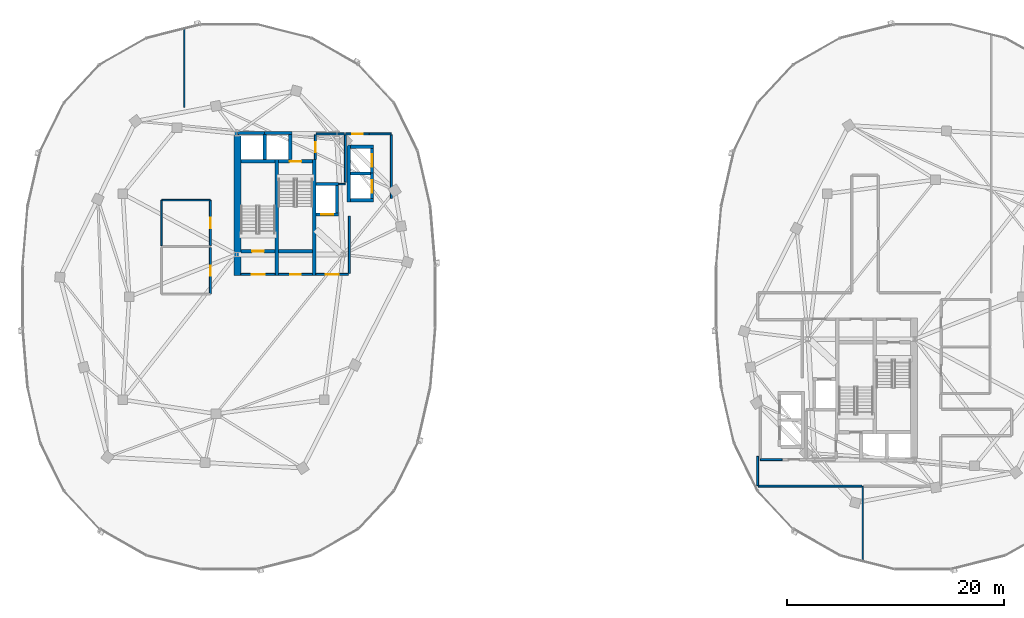
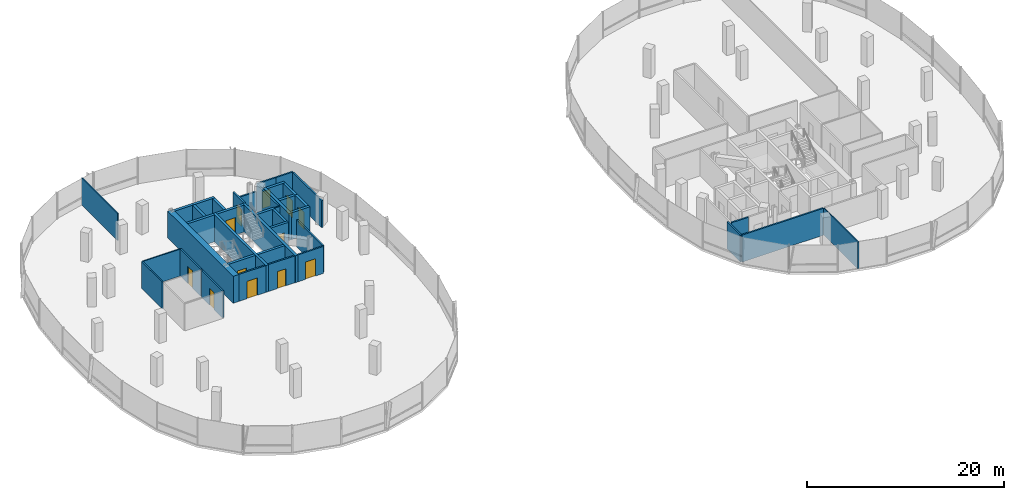
# One storey, part 15 of 24: 40 walls, 12 doors, 12 openings.
"""IFC4 building model written with IfcOpenShell, lengths in metres."""

from ifc_helpers import new_model, si_unit, direction, frame, frame_2d, origin, place, context, subcontext, project, spatial, rectangle, extrude, material, layer, layer_set, type_object, element, fill, save


model = new_model("IFC4")

# Units and contexts
model_context = context("Model", 3, precision=1e-05, world=origin(), true_north=direction((0.0, 1.0)))
body_context = subcontext(model_context, "Body", "Model", "MODEL_VIEW")
ifc_project = project(units=[si_unit("LENGTHUNIT", "METRE"), si_unit("AREAUNIT", "SQUARE_METRE"), si_unit("VOLUMEUNIT", "CUBIC_METRE"), si_unit("PLANEANGLEUNIT", "RADIAN"), si_unit("MASSUNIT", "GRAM", prefix="KILO"), si_unit("THERMODYNAMICTEMPERATUREUNIT", "KELVIN"), si_unit("POWERUNIT", "WATT")], contexts=[model_context])

# Site, building, storey
site_placement = place(None, origin())
site = spatial("IfcSite", under=ifc_project, at=site_placement, CompositionType="ELEMENT")
building_placement = place(site_placement, origin())
building = spatial("IfcBuilding", under=site, at=building_placement, Name="Cundina Bronze Exchange", CompositionType="ELEMENT")
storey_placement = place(building_placement, frame((0.0, 0.0, 227.800048828125)))
storey = spatial("IfcBuildingStorey", under=building, at=storey_placement, Name="L60", CompositionType="ELEMENT", Elevation=227.800048828125)

# Wall
ifc_material_1 = material(Name="Gypsum Fireboard Partition EI120")
ifc_layer_1 = layer(ifc_material_1, 0.179931640625, Name="Gypsum Fireboard Partition EI120")
ifc_layer_set_1 = layer_set([ifc_layer_1], Name="Gypsum Fireboard Partition EI120")
wall_type_1 = type_object("IfcWallType", Name="WL-COR-180", PredefinedType="PARTITIONING", material=ifc_layer_set_1)
wall_1_placement = place(storey_placement, frame((-20.889892578125, 2.14990234375, 0.0), z_axis=(0.0, 0.0, 1.0), x_axis=(0.0, 1.0, 0.0)))
element("IfcWall", 1, at=wall_1_placement, inside=storey, type_object=wall_type_1, Name="L60 W Firefighting Lobby Side Wall", PredefinedType="PARTITIONING", context=body_context, shape_type="SweptSolid", body=[
    extrude(rectangle(XDim=5.300048828125, YDim=0.179931640625, at=frame_2d((2.64990234375, 0.0))), origin(), (0.0, 0.0, 1.0), 3.33984375),
])

# Wall, opening, door
wall_2_placement = place(storey_placement, frame((-23.97998046875, 2.06005859375, 0.0), z_axis=(0.0, 0.0, 1.0), x_axis=(1.0, 0.0, 0.0)))
wall_2 = element("IfcWall", 2, at=wall_2_placement, inside=storey, type_object=wall_type_1, Name="L60 W Firefighting Lobby Exit Wall", PredefinedType="PARTITIONING", context=body_context, shape_type="SweptSolid", body=[
    extrude(rectangle(XDim=3.0, YDim=0.179931640625, at=frame_2d((1.5, 0.0))), origin(), (0.0, 0.0, 1.0), 3.33984375),
])
opening_1_placement = place(wall_2_placement, frame((0.89990234375, 0.0, 0.0)))
opening_1 = element("IfcOpeningElement", 3, at=opening_1_placement, cuts=wall_2, Name="Opening DF-01", PredefinedType="OPENING", context=body_context, shape_type="SweptSolid", body=[
    extrude(rectangle(XDim=1.199951171875, YDim=2.14990234375, at=frame_2d((0.60009765625, 1.074951171875))), frame((0.0, 0.099853515625, 0.0), z_axis=(0.0, -1.0, 0.0), x_axis=(1.0, 0.0, 0.0)), (0.0, 0.0, 1.0), 0.199951171875),
])
ifc_material_2 = material(Name="Steel ASTM A36 Painted", Category="steel")
door_type_1 = type_object("IfcDoorType", Name="DR-FFL-1200", OperationType="NOTDEFINED", PredefinedType="DOOR", material=ifc_material_2)
door_1_placement = place(opening_1_placement, origin())
door_1 = element("IfcDoor", 4, at=door_1_placement, inside=storey, type_object=door_type_1, Name="L60 W Firefighting Lobby Door", OperationType="SINGLE_SWING_RIGHT", OverallHeight=2.14990234375, OverallWidth=1.199951171875, PredefinedType="DOOR", context=body_context, shape_type="SweptSolid", body=[
    extrude(rectangle(XDim=1.199951171875, YDim=2.14990234375, at=frame_2d((0.60009765625, 1.074951171875))), frame((0.0, 0.02490234375, 0.0), z_axis=(0.0, -1.0, 0.0), x_axis=(1.0, 0.0, 0.0)), (0.0, 0.0, 1.0), 0.050048828125),
])
fill(opening_1, door_1)

wall_3_placement = place(storey_placement, frame((-30.89990234375, 2.06005859375, 0.0), z_axis=(0.0, 0.0, 1.0), x_axis=(1.0, 0.0, 0.0)))
wall_3 = element("IfcWall", 5, at=wall_3_placement, inside=storey, type_object=wall_type_1, Name="L60 W Stair Vestibule Exit Wall", PredefinedType="PARTITIONING", context=body_context, shape_type="SweptSolid", body=[
    extrude(rectangle(XDim=3.159912109375, YDim=0.179931640625, at=frame_2d((1.580078125, 0.0))), origin(), (0.0, 0.0, 1.0), 3.33984375),
])
opening_2_placement = place(wall_3_placement, frame((0.97998046875, 0.0, 0.0)))
opening_2 = element("IfcOpeningElement", 6, at=opening_2_placement, cuts=wall_3, Name="Opening DF-01", PredefinedType="OPENING", context=body_context, shape_type="SweptSolid", body=[
    extrude(rectangle(XDim=1.199951171875, YDim=2.14990234375, at=frame_2d((0.60009765625, 1.074951171875))), frame((0.0, 0.099853515625, 0.0), z_axis=(0.0, -1.0, 0.0), x_axis=(1.0, 0.0, 0.0)), (0.0, 0.0, 1.0), 0.199951171875),
])
door_2_placement = place(opening_2_placement, origin())
door_2 = element("IfcDoor", 7, at=door_2_placement, inside=storey, type_object=door_type_1, Name="L60 W Stair Vestibule Door", OperationType="SINGLE_SWING_LEFT", OverallHeight=2.14990234375, OverallWidth=1.199951171875, PredefinedType="DOOR", context=body_context, shape_type="SweptSolid", body=[
    extrude(rectangle(XDim=1.199951171875, YDim=2.14990234375, at=frame_2d((0.60009765625, 1.074951171875))), frame((0.0, 0.02490234375, 0.0), z_axis=(0.0, -1.0, 0.0), x_axis=(1.0, 0.0, 0.0)), (0.0, 0.0, 1.0), 0.050048828125),
])
fill(opening_2, door_2)

# Wall
wall_4_placement = place(storey_placement, frame((-17.02001953125, 9.070068359375, 0.0), z_axis=(0.0, 0.0, 1.0), x_axis=(0.0, 1.0, 0.0)))
element("IfcWall", 8, at=wall_4_placement, inside=storey, type_object=wall_type_1, Name="L60 Interior Partition 001", PredefinedType="PARTITIONING", context=body_context, shape_type="SweptSolid", body=[
    extrude(rectangle(XDim=5.85986328125, YDim=0.179931640625, at=frame_2d((2.929931640625, 0.0))), origin(), (0.0, 0.0, 1.0), 3.33984375),
])

# Wall, opening, door
wall_5_placement = place(storey_placement, frame((-21.22998046875, 15.030029296875, 0.0), z_axis=(0.0, 0.0, 1.0), x_axis=(1.0, 0.0, 0.0)))
wall_5 = element("IfcWall", 9, at=wall_5_placement, inside=storey, type_object=wall_type_1, Name="L60 Interior Partition 002", PredefinedType="PARTITIONING", context=body_context, shape_type="SweptSolid", body=[
    extrude(rectangle(XDim=2.159912109375, YDim=0.179931640625, at=frame_2d((1.080078125, 0.0))), origin(), (0.0, 0.0, 1.0), 3.33984375),
])
opening_3_placement = place(wall_5_placement, frame((0.60498046875, 0.0, 0.0)))
opening_3 = element("IfcOpeningElement", 10, at=opening_3_placement, cuts=wall_5, Name="Opening DW-01", PredefinedType="OPENING", context=body_context, shape_type="SweptSolid", body=[
    extrude(rectangle(XDim=0.949951171875, YDim=2.10009765625, at=frame_2d((0.47509765625, 1.050048828125))), frame((0.0, 0.099853515625, 0.0), z_axis=(0.0, -1.0, 0.0), x_axis=(1.0, 0.0, 0.0)), (0.0, 0.0, 1.0), 0.199951171875),
])
ifc_material_3 = material(Name="Solid Andean Oak Timber Grade A", Category="wood")
door_type_2 = type_object("IfcDoorType", Name="DR-WC-950", OperationType="NOTDEFINED", PredefinedType="DOOR", material=ifc_material_3)
door_3_placement = place(opening_3_placement, origin())
door_3 = element("IfcDoor", 11, at=door_3_placement, inside=storey, type_object=door_type_2, Name="L60 Interior Door 002", OperationType="SINGLE_SWING_RIGHT", OverallHeight=2.10009765625, OverallWidth=0.949951171875, PredefinedType="DOOR", context=body_context, shape_type="SweptSolid", body=[
    extrude(rectangle(XDim=0.949951171875, YDim=2.10009765625, at=frame_2d((0.47509765625, 1.050048828125))), frame((0.0, 0.02490234375, 0.0), z_axis=(0.0, -1.0, 0.0), x_axis=(1.0, 0.0, 0.0)), (0.0, 0.0, 1.0), 0.050048828125),
])
fill(opening_3, door_3)

# Walls
wall_6_placement = place(storey_placement, frame((-19.030029296875, 15.030029296875, 0.0), z_axis=(0.0, 0.0, 1.0), x_axis=(1.0, 0.0, 0.0)))
element("IfcWall", 12, at=wall_6_placement, inside=storey, type_object=wall_type_1, Name="L60 Interior Partition 003", PredefinedType="PARTITIONING", context=body_context, shape_type="SweptSolid", body=[
    extrude(rectangle(XDim=1.989990234375, YDim=0.179931640625, at=frame_2d((0.9951171875, 0.0))), origin(), (0.0, 0.0, 1.0), 3.33984375),
])
wall_7_placement = place(storey_placement, frame((-21.25, 10.570068359375, 0.0), z_axis=(0.0, 0.0, 1.0), x_axis=(0.0, 1.0, 0.0)))
element("IfcWall", 13, at=wall_7_placement, inside=storey, type_object=wall_type_1, Name="L60 Interior Partition 005", PredefinedType="PARTITIONING", context=body_context, shape_type="SweptSolid", body=[
    extrude(rectangle(XDim=4.35986328125, YDim=0.179931640625, at=frame_2d((2.179931640625, 0.0))), origin(), (0.0, 0.0, 1.0), 3.33984375),
])
wall_8_placement = place(storey_placement, frame((-23.9599609375, 15.030029296875, 0.0), z_axis=(0.0, 0.0, 1.0), x_axis=(1.0, 0.0, 0.0)))
element("IfcWall", 14, at=wall_8_placement, inside=storey, type_object=wall_type_1, Name="L60 Interior Partition 006", PredefinedType="PARTITIONING", context=body_context, shape_type="SweptSolid", body=[
    extrude(rectangle(XDim=2.60986328125, YDim=0.179931640625, at=frame_2d((1.304931640625, 0.0))), origin(), (0.0, 0.0, 1.0), 2.412841796875),
])

# Wall, opening, door
wall_9_placement = place(storey_placement, frame((-27.419921875, 2.070068359375, 0.0), z_axis=(0.0, 0.0, 1.0), x_axis=(1.0, 0.0, 0.0)))
wall_9 = element("IfcWall", 15, at=wall_9_placement, inside=storey, type_object=wall_type_1, Name="L60 Interior Partition 007", PredefinedType="PARTITIONING", context=body_context, shape_type="SweptSolid", body=[
    extrude(rectangle(XDim=3.119873046875, YDim=0.179931640625, at=frame_2d((1.56005859375, 0.0))), origin(), (0.0, 0.0, 1.0), 3.33984375),
])
opening_4_placement = place(wall_9_placement, frame((1.0849609375, 0.0, 0.0)))
opening_4 = element("IfcOpeningElement", 16, at=opening_4_placement, cuts=wall_9, Name="Opening DW-01", PredefinedType="OPENING", context=body_context, shape_type="SweptSolid", body=[
    extrude(rectangle(XDim=0.949951171875, YDim=2.10009765625, at=frame_2d((0.47509765625, 1.050048828125))), frame((0.0, 0.099853515625, 0.0), z_axis=(0.0, -1.0, 0.0), x_axis=(1.0, 0.0, 0.0)), (0.0, 0.0, 1.0), 0.199951171875),
])
door_4_placement = place(opening_4_placement, origin())
door_4 = element("IfcDoor", 17, at=door_4_placement, inside=storey, type_object=door_type_2, Name="L60 Interior Door 007", OperationType="SINGLE_SWING_RIGHT", OverallHeight=2.10009765625, OverallWidth=0.949951171875, PredefinedType="DOOR", context=body_context, shape_type="SweptSolid", body=[
    extrude(rectangle(XDim=0.949951171875, YDim=2.10009765625, at=frame_2d((0.47509765625, 1.050048828125))), frame((0.0, 0.02490234375, 0.0), z_axis=(0.0, -1.0, 0.0), x_axis=(1.0, 0.0, 0.0)), (0.0, 0.0, 1.0), 0.050048828125),
])
fill(opening_4, door_4)

wall_10_placement = place(storey_placement, frame((-24.02001953125, 12.669921875, 0.0), z_axis=(0.0, 0.0, 1.0), x_axis=(0.0, 1.0, 0.0)))
wall_10 = element("IfcWall", 18, at=wall_10_placement, inside=storey, type_object=wall_type_1, Name="L60 Interior Partition 008", PredefinedType="PARTITIONING", context=body_context, shape_type="SweptSolid", body=[
    extrude(rectangle(XDim=2.260009765625, YDim=0.179931640625, at=frame_2d((1.1298828125, 0.0))), origin(), (0.0, 0.0, 1.0), 3.33984375),
])
opening_5_placement = place(wall_10_placement, frame((0.655029296875, 0.0, 0.0)))
opening_5 = element("IfcOpeningElement", 19, at=opening_5_placement, cuts=wall_10, Name="Opening DW-01", PredefinedType="OPENING", context=body_context, shape_type="SweptSolid", body=[
    extrude(rectangle(XDim=0.949951171875, YDim=2.10009765625, at=frame_2d((0.47509765625, 1.050048828125))), frame((0.0, 0.099853515625, 0.0), z_axis=(0.0, -1.0, 0.0), x_axis=(1.0, 0.0, 0.0)), (0.0, 0.0, 1.0), 0.199951171875),
])
door_5_placement = place(opening_5_placement, origin())
door_5 = element("IfcDoor", 20, at=door_5_placement, inside=storey, type_object=door_type_2, Name="L60 Interior Door 008", OperationType="SINGLE_SWING_RIGHT", OverallHeight=2.10009765625, OverallWidth=0.949951171875, PredefinedType="DOOR", context=body_context, shape_type="SweptSolid", body=[
    extrude(rectangle(XDim=0.949951171875, YDim=2.10009765625, at=frame_2d((0.47509765625, 1.050048828125))), frame((0.0, 0.02490234375, 0.0), z_axis=(0.0, -1.0, 0.0), x_axis=(1.0, 0.0, 0.0)), (0.0, 0.0, 1.0), 0.050048828125),
])
fill(opening_5, door_5)

wall_11_placement = place(storey_placement, frame((-33.719970703125, 0.27001953125, 0.0), z_axis=(0.0, 0.0, 1.0), x_axis=(0.0, 1.0, 0.0)))
wall_11 = element("IfcWall", 21, at=wall_11_placement, inside=storey, type_object=wall_type_1, Name="L60 Interior Partition 014", PredefinedType="PARTITIONING", context=body_context, shape_type="SweptSolid", body=[
    extrude(rectangle(XDim=4.260009765625, YDim=0.179931640625, at=frame_2d((2.1298828125, 0.0))), origin(), (0.0, 0.0, 1.0), 3.33984375),
])
opening_6_placement = place(wall_11_placement, frame((1.655029296875, 0.0, 0.0)))
opening_6 = element("IfcOpeningElement", 22, at=opening_6_placement, cuts=wall_11, Name="Opening DW-01", PredefinedType="OPENING", context=body_context, shape_type="SweptSolid", body=[
    extrude(rectangle(XDim=0.949951171875, YDim=2.10009765625, at=frame_2d((0.47509765625, 1.050048828125))), frame((0.0, 0.099853515625, 0.0), z_axis=(0.0, -1.0, 0.0), x_axis=(1.0, 0.0, 0.0)), (0.0, 0.0, 1.0), 0.199951171875),
])
door_6_placement = place(opening_6_placement, origin())
door_6 = element("IfcDoor", 23, at=door_6_placement, inside=storey, type_object=door_type_2, Name="L60 Interior Door 014", OperationType="SINGLE_SWING_RIGHT", OverallHeight=2.10009765625, OverallWidth=0.949951171875, PredefinedType="DOOR", context=body_context, shape_type="SweptSolid", body=[
    extrude(rectangle(XDim=0.949951171875, YDim=2.10009765625, at=frame_2d((0.47509765625, 1.050048828125))), frame((0.0, 0.02490234375, 0.0), z_axis=(0.0, -1.0, 0.0), x_axis=(1.0, 0.0, 0.0)), (0.0, 0.0, 1.0), 0.050048828125),
])
fill(opening_6, door_6)

wall_12_placement = place(storey_placement, frame((-33.719970703125, 4.72998046875, 0.0), z_axis=(0.0, 0.0, 1.0), x_axis=(0.0, 1.0, 0.0)))
wall_12 = element("IfcWall", 24, at=wall_12_placement, inside=storey, type_object=wall_type_1, Name="L60 Interior Partition 015", PredefinedType="PARTITIONING", context=body_context, shape_type="SweptSolid", body=[
    extrude(rectangle(XDim=4.159912109375, YDim=0.179931640625, at=frame_2d((2.080078125, 0.0))), origin(), (0.0, 0.0, 1.0), 3.33984375),
])
opening_7_placement = place(wall_12_placement, frame((1.580078125, 0.0, 0.0)))
opening_7 = element("IfcOpeningElement", 25, at=opening_7_placement, cuts=wall_12, Name="Opening DO-01", PredefinedType="OPENING", context=body_context, shape_type="SweptSolid", body=[
    extrude(rectangle(XDim=1.0, YDim=2.14990234375, at=frame_2d((0.5, 1.074951171875))), frame((0.0, 0.099853515625, 0.0), z_axis=(0.0, -1.0, 0.0), x_axis=(1.0, 0.0, 0.0)), (0.0, 0.0, 1.0), 0.199951171875),
])
door_type_3 = type_object("IfcDoorType", Name="DR-OFF-1000", OperationType="NOTDEFINED", PredefinedType="DOOR", material=ifc_material_3)
door_7_placement = place(opening_7_placement, origin())
door_7 = element("IfcDoor", 26, at=door_7_placement, inside=storey, type_object=door_type_3, Name="L60 Interior Door 015", OperationType="SINGLE_SWING_RIGHT", OverallHeight=2.14990234375, OverallWidth=1.0, PredefinedType="DOOR", context=body_context, shape_type="SweptSolid", body=[
    extrude(rectangle(XDim=1.0, YDim=2.14990234375, at=frame_2d((0.5, 1.074951171875))), frame((0.0, 0.02490234375, 0.0), z_axis=(0.0, -1.0, 0.0), x_axis=(1.0, 0.0, 0.0)), (0.0, 0.0, 1.0), 0.050048828125),
])
fill(opening_7, door_7)

# Walls
wall_13_placement = place(storey_placement, frame((17.0400390625, -15.030029296875, 0.0), z_axis=(0.0, 0.0, 1.0), x_axis=(1.0, 0.0, 0.0)))
element("IfcWall", 27, at=wall_13_placement, inside=storey, type_object=wall_type_1, Name="L60 Interior Partition 018", PredefinedType="PARTITIONING", context=body_context, shape_type="SweptSolid", body=[
    extrude(rectangle(XDim=1.989990234375, YDim=0.179931640625, at=frame_2d((0.9951171875, 0.0))), origin(), (0.0, 0.0, 1.0), 3.33984375),
])
wall_14_placement = place(storey_placement, frame((16.821533203125, -17.469970703125, 0.0), z_axis=(0.0, 0.0, 1.0), x_axis=(1.0, 0.0, 0.0)))
element("IfcWall", 28, at=wall_14_placement, inside=storey, type_object=wall_type_1, Name="L60 Interior Partition 036", PredefinedType="PARTITIONING", context=body_context, shape_type="SweptSolid", body=[
    extrude(rectangle(XDim=9.568359375, YDim=0.179931640625, at=frame_2d((4.7841796875, 0.0))), origin(), (0.0, 0.0, 1.0), 3.33984375),
])
wall_15_placement = place(storey_placement, frame((16.780029296875, -14.721435546875, 0.0), z_axis=(0.0, 0.0, 1.0), x_axis=(0.0, -1.0, 0.0)))
element("IfcWall", 29, at=wall_15_placement, inside=storey, type_object=wall_type_1, Name="L60 Interior Partition 044", PredefinedType="PARTITIONING", context=body_context, shape_type="SweptSolid", body=[
    extrude(rectangle(XDim=2.70703125, YDim=0.179931640625, at=frame_2d((1.353515625, 0.0))), origin(), (0.0, 0.0, 1.0), 3.33984375),
])
ifc_material_4 = material(Name="Concrete C50/60", Category="concrete")
ifc_layer_2 = layer(ifc_material_4, 0.64990234375, Name="Concrete C50/60", Category="concrete")
ifc_layer_set_2 = layer_set([ifc_layer_2], Name="Concrete C50/60")
wall_type_2 = type_object("IfcWallType", Name="WL-CORE-650", PredefinedType="SHEAR", material=ifc_layer_set_2)
wall_16_placement = place(storey_placement, frame((-31.22509765625, 1.969970703125, 0.0), z_axis=(0.0, 0.0, 1.0), x_axis=(0.0, 1.0, 0.0)))
element("IfcWall", 30, at=wall_16_placement, inside=storey, type_object=wall_type_2, Name="L60 W Primary Core Shear Spine Wall", PredefinedType="SHEAR", context=body_context, shape_type="SweptSolid", body=[
    extrude(rectangle(XDim=13.330078125, YDim=0.64990234375, at=frame_2d((6.6650390625, 0.0))), origin(), (0.0, 0.0, 1.0), 3.33984375),
])
ifc_material_5 = material(Name="Gypsum Acoustic Partition EI60")
ifc_layer_3 = layer(ifc_material_5, 0.125, Name="Gypsum Acoustic Partition EI60")
ifc_layer_set_3 = layer_set([ifc_layer_3], Name="Gypsum Acoustic Partition EI60")
wall_type_3 = type_object("IfcWallType", Name="WL-OFF-125", PredefinedType="PARTITIONING", material=ifc_layer_set_3)
wall_17_placement = place(storey_placement, frame((-36.1201171875, 17.469970703125, 0.0), z_axis=(0.0, 0.0, 1.0), x_axis=(0.0, 1.0, 0.0)))
element("IfcWall", 31, at=wall_17_placement, inside=storey, type_object=wall_type_3, Name="L60 Interior Partition 016", PredefinedType="PARTITIONING", context=body_context, shape_type="SweptSolid", body=[
    extrude(rectangle(XDim=7.34375, YDim=0.125, at=frame_2d((3.671875, 0.0))), origin(), (0.0, 0.0, 1.0), 3.33984375),
])
wall_18_placement = place(storey_placement, frame((26.47998046875, -24.461181640625, 0.0), z_axis=(0.0, 0.0, 1.0), x_axis=(0.0, 1.0, 0.0)))
element("IfcWall", 32, at=wall_18_placement, inside=storey, type_object=wall_type_3, Name="L60 Interior Partition 033", PredefinedType="PARTITIONING", context=body_context, shape_type="SweptSolid", body=[
    extrude(rectangle(XDim=6.961181640625, YDim=0.125, at=frame_2d((3.48046875, 0.0))), origin(), (0.0, 0.0, 1.0), 3.33984375),
])
ifc_layer_4 = layer(ifc_material_4, 0.300048828125, Name="Concrete C50/60", Category="concrete")
ifc_layer_set_4 = layer_set([ifc_layer_4], Name="Concrete C50/60")
wall_type_4 = type_object("IfcWallType", Name="WL-SHFT-300", PredefinedType="SHEAR", material=ifc_layer_set_4)
for number, where, z_axis, x_axis, name in (
    (33, (-27.590087890625, 1.969970703125, 0.0), (0.0, 0.0, 1.0), (0.0, 1.0, 0.0), "L60 W Stair Shaft Dividing Shear Wall"),
    (34, (-24.1298828125, 1.969970703125, 0.0), (0.0, 0.0, 1.0), (0.0, 1.0, 0.0), "L60 W Stair 2 East Shear Wall"),
):
    element("IfcWall", number, at=place(storey_placement, frame(where, z_axis=z_axis, x_axis=x_axis)), inside=storey, type_object=wall_type_4, Name=name, PredefinedType="SHEAR", context=body_context, shape_type="SweptSolid", body=[
        extrude(rectangle(XDim=10.679931640625, YDim=0.300048828125, at=frame_2d((5.33984375, 0.0))), origin(), (0.0, 0.0, 1.0), 3.33984375),
    ])

# Wall, opening, door
wall_19_placement = place(storey_placement, frame((-30.89990234375, 4.199951171875, 0.0), z_axis=(0.0, 0.0, 1.0), x_axis=(1.0, 0.0, 0.0)))
wall_19 = element("IfcWall", 35, at=wall_19_placement, inside=storey, type_object=wall_type_4, Name="L60 Stair W1 Landing Wall", PredefinedType="SHEAR", context=body_context, shape_type="SweptSolid", body=[
    extrude(rectangle(XDim=3.159912109375, YDim=0.300048828125, at=frame_2d((1.580078125, 0.0))), origin(), (0.0, 0.0, 1.0), 3.33984375),
])
opening_8_placement = place(wall_19_placement, frame((1.030029296875, 0.0, 0.0)))
opening_8 = element("IfcOpeningElement", 36, at=opening_8_placement, cuts=wall_19, Name="Opening DS-01", PredefinedType="OPENING", context=body_context, shape_type="SweptSolid", body=[
    extrude(rectangle(XDim=1.10009765625, YDim=2.14990234375, at=frame_2d((0.550048828125, 1.074951171875))), frame((0.0, 0.159912109375, 0.0), z_axis=(0.0, -1.0, 0.0), x_axis=(1.0, 0.0, 0.0)), (0.0, 0.0, 1.0), 0.320068359375),
])
door_type_4 = type_object("IfcDoorType", Name="DR-STR-1100", OperationType="NOTDEFINED", PredefinedType="DOOR", material=ifc_material_2)
door_8_placement = place(opening_8_placement, origin())
door_8 = element("IfcDoor", 37, at=door_8_placement, inside=storey, type_object=door_type_4, Name="L60 Smokeproof Stair W1 Door", OperationType="SINGLE_SWING_RIGHT", OverallHeight=2.14990234375, OverallWidth=1.10009765625, PredefinedType="DOOR", context=body_context, shape_type="SweptSolid", body=[
    extrude(rectangle(XDim=1.10009765625, YDim=2.14990234375, at=frame_2d((0.550048828125, 1.074951171875))), frame((0.0, 0.02490234375, 0.0), z_axis=(0.0, -1.0, 0.0), x_axis=(1.0, 0.0, 0.0)), (0.0, 0.0, 1.0), 0.050048828125),
])
fill(opening_8, door_8)

# Wall
wall_20_placement = place(storey_placement, frame((-30.89990234375, 12.5, 0.0), z_axis=(0.0, 0.0, 1.0), x_axis=(1.0, 0.0, 0.0)))
element("IfcWall", 38, at=wall_20_placement, inside=storey, type_object=wall_type_4, Name="L60 Stair W1 Far Shaft Wall", PredefinedType="SHEAR", context=body_context, shape_type="SweptSolid", body=[
    extrude(rectangle(XDim=3.159912109375, YDim=0.300048828125, at=frame_2d((1.580078125, 0.0))), origin(), (0.0, 0.0, 1.0), 3.33984375),
])

# Wall, opening, door
wall_21_placement = place(storey_placement, frame((-27.43994140625, 12.5, 0.0), z_axis=(0.0, 0.0, 1.0), x_axis=(1.0, 0.0, 0.0)))
wall_21 = element("IfcWall", 39, at=wall_21_placement, inside=storey, type_object=wall_type_4, Name="L60 Stair W2 Landing Wall", PredefinedType="SHEAR", context=body_context, shape_type="SweptSolid", body=[
    extrude(rectangle(XDim=3.159912109375, YDim=0.300048828125, at=frame_2d((1.580078125, 0.0))), origin(), (0.0, 0.0, 1.0), 3.33984375),
])
opening_9_placement = place(wall_21_placement, frame((1.030029296875, 0.0, 0.0)))
opening_9 = element("IfcOpeningElement", 40, at=opening_9_placement, cuts=wall_21, Name="Opening DS-01", PredefinedType="OPENING", context=body_context, shape_type="SweptSolid", body=[
    extrude(rectangle(XDim=1.10009765625, YDim=2.14990234375, at=frame_2d((0.550048828125, 1.074951171875))), frame((0.0, 0.159912109375, 0.0), z_axis=(0.0, -1.0, 0.0), x_axis=(1.0, 0.0, 0.0)), (0.0, 0.0, 1.0), 0.320068359375),
])
door_9_placement = place(opening_9_placement, origin())
door_9 = element("IfcDoor", 41, at=door_9_placement, inside=storey, type_object=door_type_4, Name="L60 Smokeproof Stair W2 Door", OperationType="SINGLE_SWING_LEFT", OverallHeight=2.14990234375, OverallWidth=1.10009765625, PredefinedType="DOOR", context=body_context, shape_type="SweptSolid", body=[
    extrude(rectangle(XDim=1.10009765625, YDim=2.14990234375, at=frame_2d((0.550048828125, 1.074951171875))), frame((0.0, 0.02490234375, 0.0), z_axis=(0.0, -1.0, 0.0), x_axis=(1.0, 0.0, 0.0)), (0.0, 0.0, 1.0), 0.050048828125),
])
fill(opening_9, door_9)

# Wall
wall_22_placement = place(storey_placement, frame((-27.43994140625, 4.199951171875, 0.0), z_axis=(0.0, 0.0, 1.0), x_axis=(1.0, 0.0, 0.0)))
element("IfcWall", 42, at=wall_22_placement, inside=storey, type_object=wall_type_4, Name="L60 Stair W2 Far Shaft Wall", PredefinedType="SHEAR", context=body_context, shape_type="SweptSolid", body=[
    extrude(rectangle(XDim=3.159912109375, YDim=0.300048828125, at=frame_2d((1.580078125, 0.0))), origin(), (0.0, 0.0, 1.0), 3.33984375),
])

# Wall, opening, door
wall_23_placement = place(storey_placement, frame((-23.97998046875, 7.60009765625, 0.0), z_axis=(0.0, 0.0, 1.0), x_axis=(1.0, 0.0, 0.0)))
wall_23 = element("IfcWall", 43, at=wall_23_placement, inside=storey, type_object=wall_type_4, Name="L60 FFL-W Hoistway Front Wall", PredefinedType="SHEAR", context=body_context, shape_type="SweptSolid", body=[
    extrude(rectangle(XDim=2.10009765625, YDim=0.300048828125, at=frame_2d((1.050048828125, 0.0))), origin(), (0.0, 0.0, 1.0), 3.33984375),
])
opening_10_placement = place(wall_23_placement, frame((0.47509765625, 0.0, 0.0)))
opening_10 = element("IfcOpeningElement", 44, at=opening_10_placement, cuts=wall_23, Name="Opening LD-01", PredefinedType="OPENING", context=body_context, shape_type="SweptSolid", body=[
    extrude(rectangle(XDim=1.14990234375, YDim=2.199951171875, at=frame_2d((0.574951171875, 1.10009765625))), frame((0.0, 0.159912109375, 0.0), z_axis=(0.0, -1.0, 0.0), x_axis=(1.0, 0.0, 0.0)), (0.0, 0.0, 1.0), 0.320068359375),
])
door_type_5 = type_object("IfcDoorType", Name="DR-LND-1150", OperationType="NOTDEFINED", PredefinedType="TRAPDOOR", material=ifc_material_2)
door_10_placement = place(opening_10_placement, origin())
door_10 = element("IfcDoor", 45, at=door_10_placement, inside=storey, type_object=door_type_5, Name="L60 FFL-W Sliding Landing Door", OperationType="SLIDING_TO_LEFT", OverallHeight=2.199951171875, OverallWidth=1.14990234375, PredefinedType="TRAPDOOR", context=body_context, shape_type="SweptSolid", body=[
    extrude(rectangle(XDim=1.14990234375, YDim=2.199951171875, at=frame_2d((0.574951171875, 1.10009765625))), frame((0.0, 0.02490234375, 0.0), z_axis=(0.0, -1.0, 0.0), x_axis=(1.0, 0.0, 0.0)), (0.0, 0.0, 1.0), 0.050048828125),
])
fill(opening_10, door_10)

# Walls
wall_24_placement = place(storey_placement, frame((-23.97998046875, 10.39990234375, 0.0), z_axis=(0.0, 0.0, 1.0), x_axis=(1.0, 0.0, 0.0)))
element("IfcWall", 46, at=wall_24_placement, inside=storey, type_object=wall_type_4, Name="L60 FFL-W Hoistway Back Wall", PredefinedType="SHEAR", context=body_context, shape_type="SweptSolid", body=[
    extrude(rectangle(XDim=2.10009765625, YDim=0.300048828125, at=frame_2d((1.050048828125, 0.0))), origin(), (0.0, 0.0, 1.0), 3.33984375),
])
for number, where, z_axis, x_axis, name in (
    (47, (-22.030029296875, 7.75, 0.0), (0.0, 0.0, 1.0), (0.0, 1.0, 0.0), "L60 FFL-W Hoistway Side Wall"),
    (48, (-31.199951171875, 15.10009765625, 0.0), (0.0, 0.0, 1.0), (1.0, 0.0, 0.0), "L60 PH-W1 Hoistway Front Wall"),
):
    element("IfcWall", number, at=place(storey_placement, frame(where, z_axis=z_axis, x_axis=x_axis)), inside=storey, type_object=wall_type_4, Name=name, PredefinedType="SHEAR", context=body_context, shape_type="SweptSolid", body=[
        extrude(rectangle(XDim=2.5, YDim=0.300048828125, at=frame_2d((1.25, 0.0))), origin(), (0.0, 0.0, 1.0), 3.33984375),
    ])
wall_25_placement = place(storey_placement, frame((-28.699951171875, 12.64990234375, 0.0), z_axis=(0.0, 0.0, 1.0), x_axis=(0.0, 1.0, 0.0)))
element("IfcWall", 49, at=wall_25_placement, inside=storey, type_object=wall_type_4, Name="L60 PH-W1 Hoistway Divider Wall", PredefinedType="SHEAR", context=body_context, shape_type="SweptSolid", body=[
    extrude(rectangle(XDim=2.300048828125, YDim=0.300048828125, at=frame_2d((1.14990234375, 0.0))), origin(), (0.0, 0.0, 1.0), 3.33984375),
])
wall_26_placement = place(storey_placement, frame((-28.699951171875, 15.10009765625, 0.0), z_axis=(0.0, 0.0, 1.0), x_axis=(1.0, 0.0, 0.0)))
element("IfcWall", 50, at=wall_26_placement, inside=storey, type_object=wall_type_4, Name="L60 PH-W2 Hoistway Front Wall", PredefinedType="SHEAR", context=body_context, shape_type="SweptSolid", body=[
    extrude(rectangle(XDim=2.5, YDim=0.300048828125, at=frame_2d((1.25, 0.0))), origin(), (0.0, 0.0, 1.0), 3.33984375),
])
wall_27_placement = place(storey_placement, frame((-26.35009765625, 12.64990234375, 0.0), z_axis=(0.0, 0.0, 1.0), x_axis=(0.0, 1.0, 0.0)))
element("IfcWall", 51, at=wall_27_placement, inside=storey, type_object=wall_type_4, Name="L60 PH-W2 Hoistway Divider Wall", PredefinedType="SHEAR", context=body_context, shape_type="SweptSolid", body=[
    extrude(rectangle(XDim=2.300048828125, YDim=0.300048828125, at=frame_2d((1.14990234375, 0.0))), origin(), (0.0, 0.0, 1.0), 3.33984375),
])
wall_28_placement = place(storey_placement, frame((-20.949951171875, 8.75, 0.0), z_axis=(0.0, 0.0, 1.0), x_axis=(0.0, 1.0, 0.0)))
element("IfcWall", 52, at=wall_28_placement, inside=storey, type_object=wall_type_4, Name="L60 W Passenger Bank Hoistway Back Wall", PredefinedType="SHEAR", context=body_context, shape_type="SweptSolid", body=[
    extrude(rectangle(XDim=5.25, YDim=0.300048828125, at=frame_2d((2.625, 0.0))), origin(), (0.0, 0.0, 1.0), 3.33984375),
])
for number, where, z_axis, x_axis, name in (
    (53, (-20.800048828125, 8.89990234375, 0.0), (0.0, 0.0, 1.0), (1.0, 0.0, 0.0), "L60 W Passenger Bank South Cap Wall"),
    (54, (-20.800048828125, 13.85009765625, 0.0), (0.0, 0.0, 1.0), (1.0, 0.0, 0.0), "L60 W Passenger Bank North Cap Wall"),
):
    element("IfcWall", number, at=place(storey_placement, frame(where, z_axis=z_axis, x_axis=x_axis)), inside=storey, type_object=wall_type_4, Name=name, PredefinedType="SHEAR", context=body_context, shape_type="SweptSolid", body=[
        extrude(rectangle(XDim=2.150146484375, YDim=0.300048828125, at=frame_2d((1.0751953125, 0.0))), origin(), (0.0, 0.0, 1.0), 3.33984375),
    ])
wall_29_placement = place(storey_placement, frame((-20.800048828125, 11.375, 0.0), z_axis=(0.0, 0.0, 1.0), x_axis=(1.0, 0.0, 0.0)))
element("IfcWall", 55, at=wall_29_placement, inside=storey, type_object=wall_type_4, Name="L60 W Passenger Hoistway Divider 1", PredefinedType="SHEAR", context=body_context, shape_type="SweptSolid", body=[
    extrude(rectangle(XDim=1.85009765625, YDim=0.300048828125, at=frame_2d((0.925048828125, 0.0))), origin(), (0.0, 0.0, 1.0), 3.33984375),
])

# Wall, opening, door
wall_30_placement = place(storey_placement, frame((-18.800048828125, 8.929931640625, 0.0), z_axis=(0.0, 0.0, 1.0), x_axis=(0.0, 1.0, 0.0)))
wall_30 = element("IfcWall", 56, at=wall_30_placement, inside=storey, type_object=wall_type_4, Name="L60 PM-W2 Hoistway Front Wall", PredefinedType="SHEAR", context=body_context, shape_type="SweptSolid", body=[
    extrude(rectangle(XDim=2.489990234375, YDim=0.300048828125, at=frame_2d((1.2451171875, 0.0))), origin(), (0.0, 0.0, 1.0), 3.33984375),
])
opening_11_placement = place(wall_30_placement, frame((0.669921875, 0.0, 0.0)))
opening_11 = element("IfcOpeningElement", 57, at=opening_11_placement, cuts=wall_30, Name="Opening LD-01", PredefinedType="OPENING", context=body_context, shape_type="SweptSolid", body=[
    extrude(rectangle(XDim=1.14990234375, YDim=2.199951171875, at=frame_2d((0.574951171875, 1.10009765625))), frame((0.0, 0.159912109375, 0.0), z_axis=(0.0, -1.0, 0.0), x_axis=(1.0, 0.0, 0.0)), (0.0, 0.0, 1.0), 0.320068359375),
])
door_11_placement = place(opening_11_placement, origin())
door_11 = element("IfcDoor", 58, at=door_11_placement, inside=storey, type_object=door_type_5, Name="L60 PM-W2 Sliding Landing Door", OperationType="SLIDING_TO_LEFT", OverallHeight=2.199951171875, OverallWidth=1.14990234375, PredefinedType="TRAPDOOR", context=body_context, shape_type="SweptSolid", body=[
    extrude(rectangle(XDim=1.14990234375, YDim=2.199951171875, at=frame_2d((0.574951171875, 1.10009765625))), frame((0.0, 0.02490234375, 0.0), z_axis=(0.0, -1.0, 0.0), x_axis=(1.0, 0.0, 0.0)), (0.0, 0.0, 1.0), 0.050048828125),
])
fill(opening_11, door_11)

wall_31_placement = place(storey_placement, frame((-18.800048828125, 11.330078125, 0.0), z_axis=(0.0, 0.0, 1.0), x_axis=(0.0, 1.0, 0.0)))
wall_31 = element("IfcWall", 59, at=wall_31_placement, inside=storey, type_object=wall_type_4, Name="L60 PM-W1 Hoistway Front Wall", PredefinedType="SHEAR", context=body_context, shape_type="SweptSolid", body=[
    extrude(rectangle(XDim=2.489990234375, YDim=0.300048828125, at=frame_2d((1.2451171875, 0.0))), origin(), (0.0, 0.0, 1.0), 3.33984375),
])
opening_12_placement = place(wall_31_placement, frame((0.669921875, 0.0, 0.0)))
opening_12 = element("IfcOpeningElement", 60, at=opening_12_placement, cuts=wall_31, Name="Opening LD-01", PredefinedType="OPENING", context=body_context, shape_type="SweptSolid", body=[
    extrude(rectangle(XDim=1.14990234375, YDim=2.199951171875, at=frame_2d((0.574951171875, 1.10009765625))), frame((0.0, 0.159912109375, 0.0), z_axis=(0.0, -1.0, 0.0), x_axis=(1.0, 0.0, 0.0)), (0.0, 0.0, 1.0), 0.320068359375),
])
door_12_placement = place(opening_12_placement, origin())
door_12 = element("IfcDoor", 61, at=door_12_placement, inside=storey, type_object=door_type_5, Name="L60 PM-W1 Sliding Landing Door", OperationType="SLIDING_TO_LEFT", OverallHeight=2.199951171875, OverallWidth=1.14990234375, PredefinedType="TRAPDOOR", context=body_context, shape_type="SweptSolid", body=[
    extrude(rectangle(XDim=1.14990234375, YDim=2.199951171875, at=frame_2d((0.574951171875, 1.10009765625))), frame((0.0, 0.02490234375, 0.0), z_axis=(0.0, -1.0, 0.0), x_axis=(1.0, 0.0, 0.0)), (0.0, 0.0, 1.0), 0.050048828125),
])
fill(opening_12, door_12)

# Walls
ifc_material_6 = material(Name="Moisture-Resistant Masonry Block Grade M15", Category="masonry")
ifc_layer_5 = layer(ifc_material_6, 0.139892578125, Name="Moisture-Resistant Masonry Block Grade M15", Category="masonry")
ifc_layer_set_5 = layer_set([ifc_layer_5], Name="Moisture-Resistant Masonry Block Grade M15")
wall_type_5 = type_object("IfcWallType", Name="WL-WET-140", PredefinedType="PARTITIONING", material=ifc_layer_set_5)
wall_32_placement = place(storey_placement, frame((-21.860107421875, 10.39990234375, 0.0), z_axis=(0.0, 0.0, 1.0), x_axis=(1.0, 0.0, 0.0)))
element("IfcWall", 62, at=wall_32_placement, inside=storey, type_object=wall_type_5, Name="L60 Interior Partition 004", PredefinedType="PARTITIONING", context=body_context, shape_type="SweptSolid", body=[
    extrude(rectangle(XDim=0.590087890625, YDim=0.139892578125, at=frame_2d((0.294921875, 0.0))), origin(), (0.0, 0.0, 1.0), 3.33984375),
])
wall_33_placement = place(storey_placement, frame((-38.239990234375, 4.715087890625, 0.0), z_axis=(0.0, 0.0, 1.0), x_axis=(0.0, 1.0, 0.0)))
element("IfcWall", 63, at=wall_33_placement, inside=storey, type_object=wall_type_5, Name="L60 Interior Partition 010", PredefinedType="PARTITIONING", context=body_context, shape_type="SweptSolid", body=[
    extrude(rectangle(XDim=4.1748046875, YDim=0.139892578125, at=frame_2d((2.08740234375, 0.0))), origin(), (0.0, 0.0, 1.0), 3.33984375),
])
wall_34_placement = place(storey_placement, frame((-38.219970703125, 8.909912109375, 0.0), z_axis=(0.0, 0.0, 1.0), x_axis=(1.0, 0.0, 0.0)))
element("IfcWall", 64, at=wall_34_placement, inside=storey, type_object=wall_type_5, Name="L60 Interior Partition 013", PredefinedType="PARTITIONING", context=body_context, shape_type="SweptSolid", body=[
    extrude(rectangle(XDim=4.47998046875, YDim=0.139892578125, at=frame_2d((2.239990234375, 0.0))), origin(), (0.0, 0.0, 1.0), 3.33984375),
])

save(model, "model.ifc")
